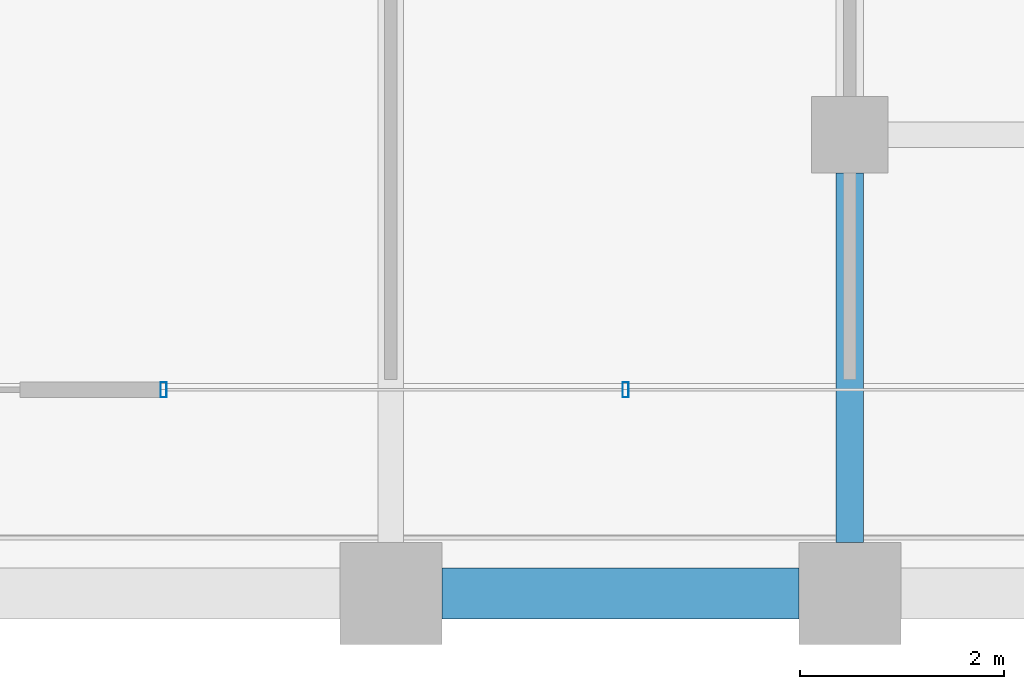
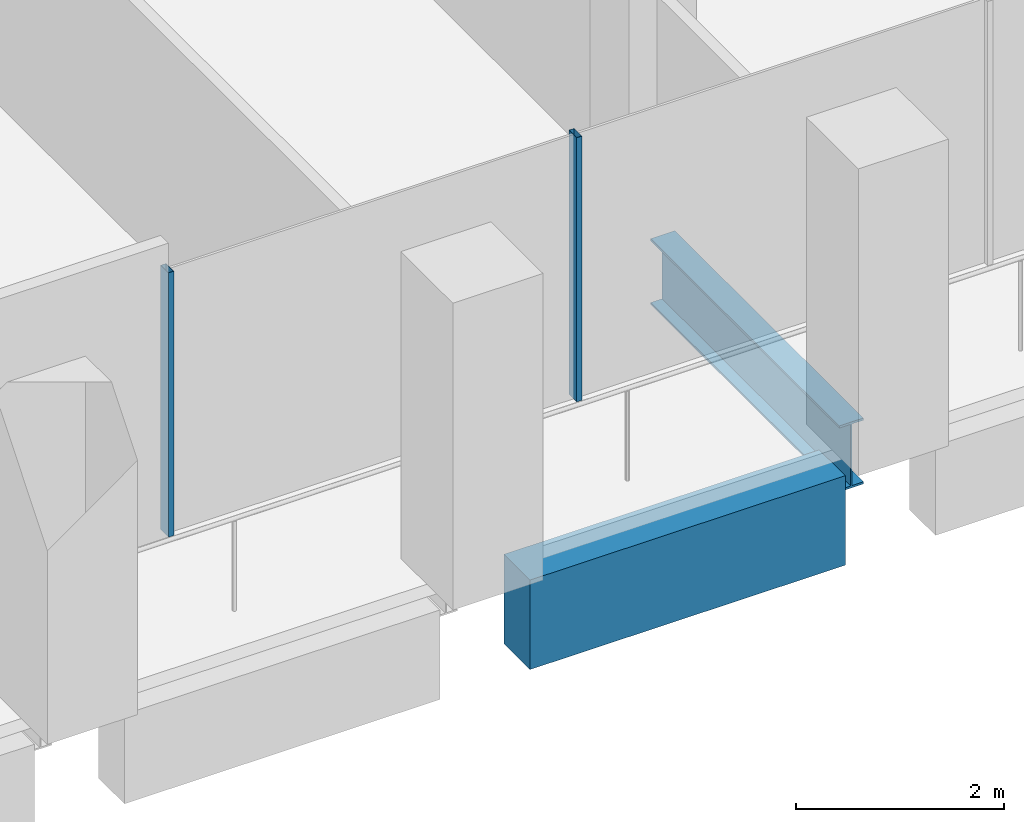
# One storey, part 9 of 46: 2 beams, 2 members, 1 element without a shape of its own.
"""IFC4 building model written with IfcOpenShell, lengths in metres."""

import ifcopenshell
import ifcopenshell.guid

model = None  # the IFC model being written
_history = None  # IfcOwnerHistory: only IFC2X3 demands one
_inside = {}  # id of a spatial element -> (the spatial element, [elements in it])
_under = {}  # id of a project, library or spatial element -> (it, [spatial elements below it])
_declared = {}  # id of a project -> (the project, [libraries it declares])
_typed = {}  # id of a type object -> (the type object, [elements of that type])
_made_of = {}  # id of a material, layer set ... -> (it, [elements and type objects made of it])


def new_model(schema):
    """Start an empty IFC model of exactly this schema.

    Asked for "IFC4X3", IfcOpenShell would pick the latest addendum, in which some entities
    have other attributes; the version numbers below select the first issue.
    IFC2X3 requires an IfcOwnerHistory on every rooted entity: one is made here for all.
    """
    global model, _history
    if schema == "IFC4X3":
        model = ifcopenshell.file(schema_version=(4, 3, 0, 0))
    else:
        model = ifcopenshell.file(schema=schema)
    _inside.clear()
    _under.clear()
    _declared.clear()
    _typed.clear()
    _made_of.clear()
    _history = None
    if model.schema == "IFC2X3":
        org = make("IfcOrganization", Name="unknown")
        user = make(
            "IfcPersonAndOrganization",
            ThePerson=make("IfcPerson", FamilyName="unknown"),
            TheOrganization=org,
        )
        app = make(
            "IfcApplication",
            ApplicationDeveloper=org,
            Version="unknown",
            ApplicationFullName="unknown",
            ApplicationIdentifier="unknown",
        )
        _history = make(
            "IfcOwnerHistory",
            OwningUser=user,
            OwningApplication=app,
            ChangeAction="ADDED",
            CreationDate=0,
        )
    return model


def make(cls, **values):
    """One entity of the class cls with the attributes given. An attribute that is None is left unset."""
    return model.create_entity(
        cls, **{name: value for name, value in values.items() if value is not None}
    )


def rooted(cls, **values):
    """An entity with a GlobalId (a new one), such as an element, a storey or a relation."""
    return make(cls, GlobalId=ifcopenshell.guid.new(), OwnerHistory=_history, **values)


def si_unit(unit_type, name, prefix=None):
    """IfcSIUnit, for example si_unit("LENGTHUNIT", "METRE", prefix="MILLI")."""
    return make("IfcSIUnit", UnitType=unit_type, Prefix=prefix, Name=name)


def assignment(units):
    """IfcUnitAssignment: the units of a project."""
    return None if units is None else make("IfcUnitAssignment", Units=units)


def point(xyz):
    """IfcCartesianPoint."""
    return None if xyz is None else make("IfcCartesianPoint", Coordinates=xyz)


def direction(xyz):
    """IfcDirection."""
    return None if xyz is None else make("IfcDirection", DirectionRatios=xyz)


def frame(location, z_axis=None, x_axis=None):
    """IfcAxis2Placement3D, a coordinate frame: its origin and axes. An axis left out is left unset."""
    return make(
        "IfcAxis2Placement3D",
        Location=point(location),
        Axis=direction(z_axis),
        RefDirection=direction(x_axis),
    )


def frame_2d(location, x_axis=None):
    """IfcAxis2Placement2D, a coordinate frame in the plane: its origin and x axis."""
    return make(
        "IfcAxis2Placement2D", Location=point(location), RefDirection=direction(x_axis)
    )


def origin():
    """The frame at (0, 0, 0) with its axes left unset."""
    return frame((0.0, 0.0, 0.0))


def origin_2d():
    """The frame at (0, 0) in the plane with its x axis left unset."""
    return frame_2d((0.0, 0.0))


def place(relative_to, where):
    """IfcLocalPlacement: puts the frame where relative to a parent placement (None: the world)."""
    return make(
        "IfcLocalPlacement", PlacementRelTo=relative_to, RelativePlacement=where
    )


def context(
    kind, dimensions, precision=None, world=None, true_north=None, identifier=None
):
    """IfcGeometricRepresentationContext, for example the 3D "Model" context."""
    return make(
        "IfcGeometricRepresentationContext",
        ContextIdentifier=identifier,
        ContextType=kind,
        CoordinateSpaceDimension=dimensions,
        Precision=precision,
        WorldCoordinateSystem=world,
        TrueNorth=true_north,
    )


def subcontext(parent, identifier, kind, view, scale=None):
    """IfcGeometricRepresentationSubContext, for example "Body" below "Model"."""
    return make(
        "IfcGeometricRepresentationSubContext",
        ContextIdentifier=identifier,
        ContextType=kind,
        ParentContext=parent,
        TargetScale=scale,
        TargetView=view,
    )


def project(units=None, contexts=None):
    """IfcProject with its units and contexts."""
    return rooted(
        "IfcProject",
        Name="project",
        RepresentationContexts=contexts,
        UnitsInContext=assignment(units),
    )


def spatial(cls, under=None, at=None, **own):
    """A site, building, storey or space (cls), placed at a placement, below another one or the project."""
    s = rooted(cls, ObjectPlacement=at, **own)
    if under is not None:
        _under.setdefault(under.id(), (under, []))[1].append(s)
    return s


def profile(cls, at=None, kind="AREA", **sizes):
    """A parametric profile (cls). Its sizes go by their IFC names, for example OverallWidth=200.0."""
    return make(cls, ProfileType=kind, Position=at, **sizes)


def rectangle(**sizes):
    """IfcRectangleProfileDef."""
    return profile("IfcRectangleProfileDef", **sizes)


def hollow_rectangle(**sizes):
    """IfcRectangleHollowProfileDef."""
    return profile("IfcRectangleHollowProfileDef", **sizes)


def i_section(**sizes):
    """IfcIShapeProfileDef."""
    return profile("IfcIShapeProfileDef", **sizes)


def extrude(swept, where, along, depth):
    """IfcExtrudedAreaSolid: the profile swept, set in the frame where, extruded along a direction by depth."""
    return make(
        "IfcExtrudedAreaSolid",
        SweptArea=swept,
        Position=where,
        ExtrudedDirection=direction(along),
        Depth=depth,
    )


def shape(context_of_items, identifier, shape_type, items):
    """IfcShapeRepresentation: the items that make up one representation, for example the "Body"."""
    return make(
        "IfcShapeRepresentation",
        ContextOfItems=context_of_items,
        RepresentationIdentifier=identifier,
        RepresentationType=shape_type,
        Items=items,
    )


def material(Name=None, Category=None):
    """IfcMaterial."""
    return make("IfcMaterial", Name=Name, Category=Category)


def material_profile(
    of_material, cross_section, Name=None, Category=None, Priority=None
):
    """IfcMaterialProfile: a cross section and its material."""
    return make(
        "IfcMaterialProfile",
        Name=Name,
        Material=of_material,
        Profile=cross_section,
        Priority=Priority,
        Category=Category,
    )


def profile_set(profiles, Name=None, composite=None):
    """IfcMaterialProfileSet."""
    return make(
        "IfcMaterialProfileSet",
        Name=Name,
        MaterialProfiles=profiles,
        CompositeProfile=composite,
    )


def made_of(thing, what):
    """Note that an element or type object is made of a material, layer set ...; save() writes the relation."""
    if what is not None:
        _made_of.setdefault(what.id(), (what, []))[1].append(thing)
    return thing


def type_object(cls, material=None, **own):
    """A type object (cls), such as IfcWallType, which elements share."""
    return made_of(rooted(cls, **own), material)


def element(
    cls,
    number,
    at=None,
    inside=None,
    cuts=None,
    type_object=None,
    material=None,
    context=None,
    identifier="Body",
    shape_type=None,
    held_by="IfcProductDefinitionShape",
    body=None,
    shapes=None,
    **own,
):
    """One element of the class cls, such as IfcWall. Its Tag is "e" and its number.

    at: its placement. inside: the storey or other place that contains it. cuts: it is an
    opening in that element (IfcRelVoidsElement). A single representation is given by context,
    identifier, shape_type and body (its items); several are given by shapes. held_by: the class
    of the entity that holds the representations. save() writes the other relations.
    """
    e = rooted(cls, Tag="e%d" % number, ObjectPlacement=at, **own)
    if body is not None:
        shapes = [shape(context, identifier, shape_type, body)]
    if shapes is not None:
        e.Representation = make(held_by, Representations=shapes)
    if inside is not None:
        _inside.setdefault(inside.id(), (inside, []))[1].append(e)
    if cuts is not None:
        rooted(
            "IfcRelVoidsElement", RelatingBuildingElement=cuts, RelatedOpeningElement=e
        )
    if type_object is not None:
        _typed.setdefault(type_object.id(), (type_object, []))[1].append(e)
    return made_of(e, material)


def aggregate(whole, parts):
    """IfcRelAggregates: a whole, such as a stair, and the parts it consists of."""
    return rooted("IfcRelAggregates", RelatingObject=whole, RelatedObjects=parts)


def save(model, path):
    """Write the relations noted so far, then the file.

    IfcRelAggregates (storeys below a building ...), IfcRelContainedInSpatialStructure (elements
    in a storey), IfcRelDefinesByType, IfcRelAssociatesMaterial and IfcRelDeclares: one each for
    every whole, place, type object, material and project.
    """
    for whole, parts in _under.values():
        aggregate(whole, parts)
    for where, things in _inside.values():
        rooted(
            "IfcRelContainedInSpatialStructure",
            RelatedElements=things,
            RelatingStructure=where,
        )
    for kind, things in _typed.values():
        rooted("IfcRelDefinesByType", RelatedObjects=things, RelatingType=kind)
    for what, things in _made_of.values():
        rooted("IfcRelAssociatesMaterial", RelatedObjects=things, RelatingMaterial=what)
    for by, libraries in _declared.values():
        rooted("IfcRelDeclares", RelatingContext=by, RelatedDefinitions=libraries)
    model.write(path)


model = new_model("IFC4")

# Units and contexts
model_context = context("Model", 3, precision=1e-05, world=origin(), true_north=direction((0.0, 1.0)))
body_context = subcontext(model_context, "Body", "Model", "MODEL_VIEW")
ifc_project = project(units=[si_unit("LENGTHUNIT", "METRE"), si_unit("AREAUNIT", "SQUARE_METRE"), si_unit("VOLUMEUNIT", "CUBIC_METRE"), si_unit("PLANEANGLEUNIT", "RADIAN"), si_unit("MASSUNIT", "GRAM", prefix="KILO")], contexts=[model_context])

# Site, building, storey
site_placement = place(None, origin())
site = spatial("IfcSite", under=ifc_project, at=site_placement, CompositionType="ELEMENT")
building_placement = place(site_placement, origin())
building = spatial("IfcBuilding", under=site, at=building_placement, Name="Altepetl Exchange Towers", CompositionType="ELEMENT")
storey_placement = place(building_placement, frame((0.0, 0.0, 128.0)))
storey = spatial("IfcBuildingStorey", under=building, at=storey_placement, Name="L31", CompositionType="ELEMENT", Elevation=128.0)

# Beam
ifc_material_1 = material(Name="Steel S355", Category="steel")
ifc_material_profile_1 = material_profile(ifc_material_1, i_section(OverallWidth=0.26806640625, OverallDepth=0.77392578125, WebThickness=0.015380859375, FlangeThickness=0.025390625, at=origin_2d()), Name="W30X132")
ifc_profile_set_1 = profile_set([ifc_material_profile_1], Name="Steel S355")
beam_type_1 = type_object("IfcBeamType", Name="Girder W30X132", PredefinedType="BEAM", material=ifc_profile_set_1)
beam_1_placement = place(storey_placement, frame((58.5, 31.125, -0.537109375), z_axis=(0.0, -1.0, 0.0), x_axis=(1.0, 0.0, 0.0)))
element("IfcBeam", 1, at=beam_1_placement, inside=storey, type_object=beam_type_1, Name="gd:A:L31:005", PredefinedType="BEAM", context=body_context, shape_type="SweptSolid", body=[
    extrude(i_section(OverallWidth=0.26806640625, OverallDepth=0.77392578125, WebThickness=0.015380859375, FlangeThickness=0.025390625, at=origin_2d()), origin(), (0.0, 0.0, 1.0), 3.625),
])

# Curtain wall, members
ifc_material_2 = material(Name="Aluminium 6063-T6 glazing", Category="aluminium")
curtain_wall_type = type_object("IfcCurtainWallType", Name="Loggia glazing system", PredefinedType="NOTDEFINED", material=ifc_material_2)
curtain_wall_placement = place(storey_placement, origin())
curtain_wall = element("IfcCurtainWall", 2, at=curtain_wall_placement, inside=storey, type_object=curtain_wall_type, Name="CW1 run", PredefinedType="NOTDEFINED")
ifc_material_3 = material(Name="Aluminium 6063-T6", Category="aluminium")
ifc_material_profile_2 = material_profile(ifc_material_3, hollow_rectangle(XDim=0.06005859375, YDim=0.14990234375, WallThickness=0.0029296875, at=origin_2d()), Name="Mullion 60x150 aluminium")
ifc_profile_set_2 = profile_set([ifc_material_profile_2], Name="Aluminium 6063-T6")
member_type = type_object("IfcMemberType", Name="Mullion 60x150 aluminium", PredefinedType="MULLION", material=ifc_profile_set_2)
member_1_placement = place(storey_placement, frame((51.77294921875, 29.0, 0.0)))
member_1 = element("IfcMember", 3, at=member_1_placement, type_object=member_type, Name="MU1 mullion", PredefinedType="MULLION", context=body_context, shape_type="SweptSolid", body=[
    extrude(hollow_rectangle(XDim=0.06005859375, YDim=0.14990234375, WallThickness=0.0029296875, at=origin_2d()), origin(), (0.0, 0.0, 1.0), 3.10009765625),
])
member_2_placement = place(storey_placement, frame((56.303466796875, 29.0, 0.0)))
member_2 = element("IfcMember", 4, at=member_2_placement, type_object=member_type, Name="MU1 mullion", PredefinedType="MULLION", context=body_context, shape_type="SweptSolid", body=[
    extrude(hollow_rectangle(XDim=0.06005859375, YDim=0.14990234375, WallThickness=0.0029296875, at=origin_2d()), origin(), (0.0, 0.0, 1.0), 3.10009765625),
])
aggregate(curtain_wall, [member_1, member_2])

# Beam
ifc_material_4 = material(Name="Concrete C50/60 precast with cantera blanca facing", Category="concrete")
ifc_material_profile_3 = material_profile(ifc_material_4, rectangle(XDim=0.5, YDim=1.050048828125, at=origin_2d()), Name="500 x 1050")
ifc_profile_set_3 = profile_set([ifc_material_profile_3], Name="Concrete C50/60 precast with cantera blanca facing")
beam_type_2 = type_object("IfcBeamType", Name="Spandrel beam 500x1050 cantera blanca", PredefinedType="SPANDREL", material=ifc_profile_set_3)
beam_2_placement = place(storey_placement, frame((54.5, 27.0, -0.675048828125), z_axis=(1.0, 0.0, 0.0), x_axis=(0.0, 1.0, 0.0)))
element("IfcBeam", 5, at=beam_2_placement, inside=storey, type_object=beam_type_2, Name="sp:A:L31:005", PredefinedType="SPANDREL", context=body_context, shape_type="SweptSolid", body=[
    extrude(rectangle(XDim=0.5, YDim=1.050048828125, at=origin_2d()), origin(), (0.0, 0.0, 1.0), 3.5),
])

save(model, "model.ifc")
